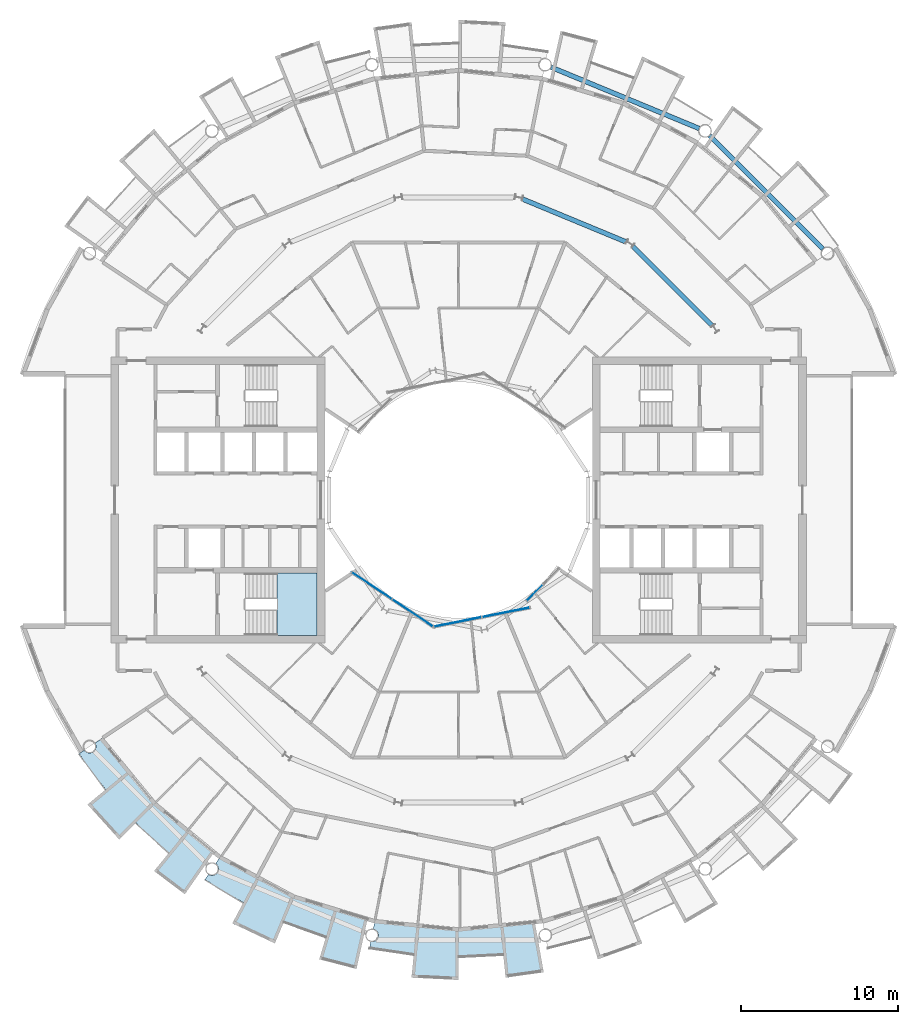
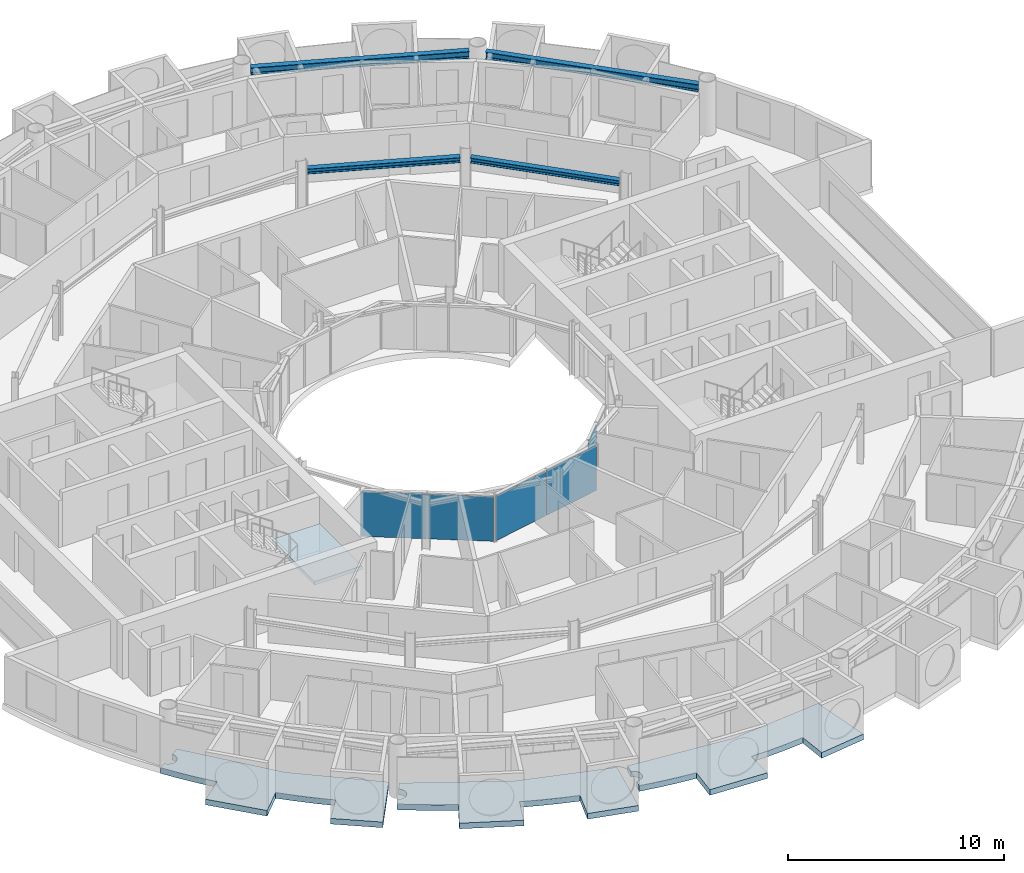
# One storey, part 10 of 26: 5 plates, 4 beams, 4 slabs, 4 elements without a shape of their own.
"""IFC4 building model written with IfcOpenShell, lengths in metres."""

from ifc_helpers import new_model, si_unit, direction, frame, origin, origin_2d, place, context, subcontext, project, spatial, polyline, rectangle, i_section, outline, extrude, material, layer, layer_set, material_profile, profile_set, type_object, element, aggregate, save


model = new_model("IFC4")

# Units and contexts
model_context = context("Model", 3, precision=1e-05, world=origin(), true_north=direction((0.0, 1.0)))
body_context = subcontext(model_context, "Body", "Model", "MODEL_VIEW")
ifc_project = project(units=[si_unit("LENGTHUNIT", "METRE"), si_unit("AREAUNIT", "SQUARE_METRE"), si_unit("VOLUMEUNIT", "CUBIC_METRE"), si_unit("PLANEANGLEUNIT", "RADIAN"), si_unit("MASSUNIT", "GRAM", prefix="KILO")], contexts=[model_context])

# Site, building, storey
site_placement = place(None, origin())
site = spatial("IfcSite", under=ifc_project, at=site_placement, CompositionType="ELEMENT")
building_placement = place(site_placement, origin())
building = spatial("IfcBuilding", under=site, at=building_placement, Name="Maasbend Ring Residences", CompositionType="ELEMENT")
storey_placement = place(building_placement, frame((0.0, 0.0, 176.85009765625)))
storey = spatial("IfcBuildingStorey", under=building, at=storey_placement, Name="L51", CompositionType="ELEMENT", Elevation=176.85009765625)

# Beams
ifc_material_1 = material(Name="Steel S355J2", Category="steel")
ifc_material_profile_1 = material_profile(ifc_material_1, i_section(OverallWidth=0.300048828125, OverallDepth=0.2900390625, WebThickness=0.008544921875, FlangeThickness=0.013916015625, FilletRadius=0.027099609375, at=origin_2d()), Name="HEA 300")
ifc_profile_set_1 = profile_set([ifc_material_profile_1], Name="Steel S355J2")
beam_type_1 = type_object("IfcBeamType", Name="Corridor ring beam HEA 300", PredefinedType="BEAM", material=ifc_profile_set_1)
for number, where, z_axis, x_axis, name in (
    (1, (16.11669921875, 11.0693359375, 2.5048828125), (-0.707106781187, 0.707106781187, 0.0), (-0.707106781187, -0.707106781187, 0.0), "Corridor ring beam"),
    (2, (10.65380859375, 16.394287109375, 2.5048828125), (-0.923871339849, 0.382703210602, 0.0), (-0.382703210602, -0.923871339849, 0.0), "Corridor ring beam"),
):
    element("IfcBeam", number, at=place(storey_placement, frame(where, z_axis=z_axis, x_axis=x_axis)), inside=storey, type_object=beam_type_1, Name=name, PredefinedType="BEAM", context=body_context, shape_type="SweptSolid", body=[
        extrude(i_section(OverallWidth=0.300048828125, OverallDepth=0.2900390625, WebThickness=0.008544921875, FlangeThickness=0.013916015625, FilletRadius=0.027099609375, at=origin_2d()), origin(), (0.0, 0.0, 1.0), 7.137939453125),
    ])
ifc_material_2 = material(Name="Steel S355J2", Category="steel")
ifc_material_profile_2 = material_profile(ifc_material_2, i_section(OverallWidth=0.300048828125, OverallDepth=0.39990234375, WebThickness=0.013427734375, FlangeThickness=0.02392578125, FilletRadius=0.027099609375, at=origin_2d()), Name="HEB 400")
ifc_profile_set_2 = profile_set([ifc_material_profile_2], Name="Steel S355J2")
beam_type_2 = type_object("IfcBeamType", Name="Spandrel ring beam HEB 400", PredefinedType="SPANDREL", material=ifc_profile_set_2)
for number, where, z_axis, x_axis, name in (
    (3, (23.159912109375, 15.95458984375, 2.449951171875), (-0.707106781187, 0.707106781187, 0.0), (-0.707106781187, -0.707106781187, 0.0), "Spandrel ring beam"),
    (4, (15.29150390625, 23.60302734375, 2.449951171875), (-0.923883676188, 0.382673428492, 0.0), (-0.382673428492, -0.923883676188, 0.0), "Spandrel ring beam"),
):
    element("IfcBeam", number, at=place(storey_placement, frame(where, z_axis=z_axis, x_axis=x_axis)), inside=storey, type_object=beam_type_2, Name=name, PredefinedType="SPANDREL", context=body_context, shape_type="SweptSolid", body=[
        extrude(i_section(OverallWidth=0.300048828125, OverallDepth=0.39990234375, WebThickness=0.013427734375, FlangeThickness=0.02392578125, FilletRadius=0.027099609375, at=origin_2d()), origin(), (0.0, 0.0, 1.0), 10.18994140625),
    ])

# Stair, slab
ifc_material_3 = material(Name="Concrete C40/50", Category="concrete")
stair_type = type_object("IfcStairType", Name="CORE STAIR 18 RISERS", PredefinedType="HALF_TURN_STAIR", material=ifc_material_3)
stair_placement = place(storey_placement, origin())
stair = element("IfcStair", 5, at=stair_placement, inside=storey, type_object=stair_type, Name="L51 Exit stair ST-W1", PredefinedType="HALF_TURN_STAIR")
ifc_material_4 = material(Name="Concrete C40/50", Category="concrete")
ifc_layer_1 = layer(ifc_material_4, 0.199951171875)
ifc_layer_set_1 = layer_set([ifc_layer_1], Name="Concrete C40/50")
slab_type_1 = type_object("IfcSlabType", Name="CORE STAIR LANDING 200", PredefinedType="LANDING", material=ifc_layer_set_1)
slab_1_placement = place(storey_placement, frame((0.0, 0.0, 1.324951171875)))
slab_1 = element("IfcSlab", 6, at=slab_1_placement, type_object=slab_type_1, Name="ST-W1 landing 1", PredefinedType="LANDING", context=body_context, shape_type="SweptSolid", body=[
    extrude(outline(polyline([(-11.550048828125, -8.60009765625), (-9.0, -8.60009765625), (-9.0, -4.64990234375), (-11.550048828125, -4.64990234375), (-11.550048828125, -8.60009765625)])), origin(), (0.0, 0.0, 1.0), 0.199951171875),
])
aggregate(stair, [slab_1])

# Curtain wall, plates
ifc_material_5 = material(Name="Aluminium and clear glass", Category="aluminium")
ifc_layer_2 = layer(ifc_material_5, 0.179931640625)
ifc_layer_set_2 = layer_set([ifc_layer_2], Name="CW-W")
curtain_wall_type = type_object("IfcCurtainWallType", Name="CW-W", PredefinedType="NOTDEFINED", material=ifc_layer_set_2)
curtain_wall_1_placement = place(storey_placement, origin())
curtain_wall_1 = element("IfcCurtainWall", 7, at=curtain_wall_1_placement, inside=storey, type_object=curtain_wall_type, Name="Well curtain wall S1", PredefinedType="NOTDEFINED")
ifc_material_6 = material(Name="Glass clear laminated", Category="glass")
ifc_layer_3 = layer(ifc_material_6, 0.031982421875)
ifc_layer_set_3 = layer_set([ifc_layer_3], Name="CWP-W")
plate_type = type_object("IfcPlateType", Name="CWP-W", PredefinedType="CURTAIN_PANEL", material=ifc_layer_set_3)
plate_1_placement = place(storey_placement, frame((-5.51123046875, -5.44580078125, 0.0), z_axis=(0.0, 0.0, 1.0), x_axis=(0.831469612303, -0.55557023302, 0.0)))
plate_1 = element("IfcPlate", 8, at=plate_1_placement, type_object=plate_type, Name="Glass panel well face", PredefinedType="CURTAIN_PANEL", context=body_context, shape_type="SweptSolid", body=[
    extrude(rectangle(XDim=3.053955078125, YDim=0.031982421875, at=origin_2d()), origin(), (0.0, 0.0, 1.0), 2.530029296875),
])
plate_2_placement = place(storey_placement, frame((-2.922119140625, -7.17578125, 0.0), z_axis=(0.0, 0.0, 1.0), x_axis=(0.831469612303, -0.55557023302, 0.0)))
plate_2 = element("IfcPlate", 9, at=plate_2_placement, type_object=plate_type, Name="Glass panel well face", PredefinedType="CURTAIN_PANEL", context=body_context, shape_type="SweptSolid", body=[
    extrude(rectangle(XDim=3.053955078125, YDim=0.031982421875, at=origin_2d()), origin(), (0.0, 0.0, 1.0), 2.530029296875),
])
aggregate(curtain_wall_1, [plate_1, plate_2])

curtain_wall_2_placement = place(storey_placement, origin())
curtain_wall_2 = element("IfcCurtainWall", 10, at=curtain_wall_2_placement, inside=storey, type_object=curtain_wall_type, Name="Well curtain wall S2", PredefinedType="NOTDEFINED")
plate_3_placement = place(storey_placement, frame((-0.04638671875, -7.747802734375, 0.0), z_axis=(0.0, 0.0, 1.0), x_axis=(0.980785280403, 0.195090322016, 0.0)))
plate_3 = element("IfcPlate", 11, at=plate_3_placement, type_object=plate_type, Name="Glass panel well face", PredefinedType="CURTAIN_PANEL", context=body_context, shape_type="SweptSolid", body=[
    extrude(rectangle(XDim=3.053955078125, YDim=0.031982421875, at=origin_2d()), origin(), (0.0, 0.0, 1.0), 2.530029296875),
])
plate_4_placement = place(storey_placement, frame((3.0078125, -7.140380859375, 0.0), z_axis=(0.0, 0.0, 1.0), x_axis=(0.980785280403, 0.195090322016, 0.0)))
plate_4 = element("IfcPlate", 12, at=plate_4_placement, type_object=plate_type, Name="Glass panel well face", PredefinedType="CURTAIN_PANEL", context=body_context, shape_type="SweptSolid", body=[
    extrude(rectangle(XDim=3.053955078125, YDim=0.031982421875, at=origin_2d()), origin(), (0.0, 0.0, 1.0), 2.530029296875),
])
aggregate(curtain_wall_2, [plate_3, plate_4])

# Curtain wall, plate
curtain_wall_3_placement = place(storey_placement, origin())
curtain_wall_3 = element("IfcCurtainWall", 13, at=curtain_wall_3_placement, inside=storey, type_object=curtain_wall_type, Name="Well curtain wall S3", PredefinedType="NOTDEFINED")
plate_5_placement = place(storey_placement, frame((4.84375, -5.89013671875, 0.0), z_axis=(0.0, 0.0, 1.0), x_axis=(0.707106781187, 0.707106781187, 0.0)))
plate_5 = element("IfcPlate", 14, at=plate_5_placement, type_object=plate_type, Name="Glass panel well face", PredefinedType="CURTAIN_PANEL", context=body_context, shape_type="SweptSolid", body=[
    extrude(rectangle(XDim=1.419677734375, YDim=0.031982421875, at=origin_2d()), origin(), (0.0, 0.0, 1.0), 2.530029296875),
])
aggregate(curtain_wall_3, [plate_5])

# Slabs
ifc_material_7 = material(Name="Concrete C40/50", Category="concrete")
ifc_layer_4 = layer(ifc_material_7, 0.199951171875)
ifc_layer_set_4 = layer_set([ifc_layer_4], Name="Concrete C40/50")
slab_type_2 = type_object("IfcSlabType", Name="SL-LOGGIA", PredefinedType="FLOOR", material=ifc_layer_set_4)
slab_2_placement = place(storey_placement, frame((0.0, 0.0, -0.35009765625)))
element("IfcSlab", 15, at=slab_2_placement, inside=storey, type_object=slab_type_2, Name="Loggia floor 1", PredefinedType="FLOOR", context=body_context, shape_type="SweptSolid", body=[
    extrude(outline(polyline([(-15.866943359375, -23.801025390625), (-15.85888671875, -23.805908203125), (-15.85009765625, -23.81005859375), (-15.841064453125, -23.81494140625), (-15.83203125, -23.819091796875), (-15.822998046875, -23.822998046875), (-15.81298828125, -23.826904296875), (-15.803955078125, -23.830078125), (-15.794921875, -23.8330078125), (-15.784912109375, -23.8359375), (-15.77587890625, -23.839111328125), (-15.76611328125, -23.842041015625), (-15.756103515625, -23.843994140625), (-15.74609375, -23.845947265625), (-15.737060546875, -23.847900390625), (-15.72705078125, -23.85009765625), (-15.717041015625, -23.85107421875), (-15.70703125, -23.85205078125), (-15.697021484375, -23.85302734375), (-15.68701171875, -23.85302734375), (-15.677001953125, -23.85400390625), (-15.6669921875, -23.85400390625), (-15.656982421875, -23.85400390625), (-15.64697265625, -23.85302734375), (-15.636962890625, -23.85302734375), (-15.626953125, -23.85205078125), (-15.616943359375, -23.85107421875), (-15.60693359375, -23.85009765625), (-15.597900390625, -23.847900390625), (-15.587890625, -23.845947265625), (-15.577880859375, -23.843994140625), (-15.568115234375, -23.842041015625), (-15.55908203125, -23.839111328125), (-15.549072265625, -23.8359375), (-15.5400390625, -23.8330078125), (-15.530029296875, -23.830078125), (-15.52099609375, -23.826904296875), (-15.511962890625, -23.822998046875), (-15.501953125, -23.819091796875), (-15.492919921875, -23.81494140625), (-15.48388671875, -23.81005859375), (-15.47509765625, -23.805908203125), (-15.467041015625, -23.801025390625), (-15.4580078125, -23.7958984375), (-15.449951171875, -23.791015625), (-15.44091796875, -23.784912109375), (-15.43310546875, -23.780029296875), (-15.425048828125, -23.77392578125), (-15.4169921875, -23.76806640625), (-15.408935546875, -23.761962890625), (-15.402099609375, -23.7548828125), (-15.39404296875, -23.7490234375), (-15.386962890625, -23.741943359375), (-15.3798828125, -23.735107421875), (-15.373046875, -23.72802734375), (-15.365966796875, -23.719970703125), (-15.35888671875, -23.712890625), (-15.35302734375, -23.705078125), (-15.346923828125, -23.697021484375), (-15.341064453125, -23.68994140625), (-15.3349609375, -23.680908203125), (-15.3291015625, -23.673095703125), (-15.323974609375, -23.6650390625), (-15.318115234375, -23.656005859375), (-15.31298828125, -23.64794921875), (-15.30908203125, -23.638916015625), (-15.303955078125, -23.6298828125), (-15.300048828125, -23.62109375), (-15.294921875, -23.612060546875), (-15.2919921875, -23.60302734375), (-15.2880859375, -23.593994140625), (-15.283935546875, -23.583984375), (-15.281005859375, -23.574951171875), (-15.278076171875, -23.56494140625), (-15.27490234375, -23.555908203125), (-15.27294921875, -23.5458984375), (-15.27001953125, -23.535888671875), (-15.26806640625, -23.527099609375), (-15.26708984375, -23.51708984375), (-15.264892578125, -23.507080078125), (-15.263916015625, -23.4970703125), (-15.262939453125, -23.487060546875), (-15.261962890625, -23.47705078125), (-15.260986328125, -23.467041015625), (-15.260986328125, -23.45703125), (-15.260986328125, -23.447021484375), (-15.260986328125, -23.43701171875), (-15.260986328125, -23.427001953125), (-15.261962890625, -23.4169921875), (-15.262939453125, -23.407958984375), (-15.263916015625, -23.39794921875), (-15.264892578125, -23.387939453125), (-15.26708984375, -23.3779296875), (-15.26806640625, -23.367919921875), (-15.27001953125, -23.35791015625), (-15.27294921875, -23.34912109375), (-15.27490234375, -23.339111328125), (-15.278076171875, -23.3291015625), (-15.281005859375, -23.320068359375), (-15.283935546875, -23.31005859375), (-15.2880859375, -23.301025390625), (-15.2919921875, -23.2919921875), (-15.294921875, -23.282958984375), (-15.300048828125, -23.27392578125), (-15.303955078125, -23.264892578125), (-15.30908203125, -23.256103515625), (-15.31298828125, -23.2470703125), (-15.318115234375, -23.238037109375), (-15.323974609375, -23.22998046875), (-15.3291015625, -23.221923828125), (-15.3349609375, -23.212890625), (-15.341064453125, -23.205078125), (-15.346923828125, -23.197021484375), (-15.35302734375, -23.18994140625), (-15.35888671875, -23.181884765625), (-15.365966796875, -23.174072265625), (-15.373046875, -23.1669921875), (-15.3798828125, -23.159912109375), (-15.386962890625, -23.153076171875), (-15.39404296875, -23.14599609375), (-15.402099609375, -23.139892578125), (-15.408935546875, -23.133056640625), (-15.4169921875, -23.126953125), (-15.425048828125, -23.12109375), (-15.43310546875, -23.114990234375), (-15.44091796875, -23.10888671875), (-15.1669921875, -22.698974609375), (-15.1669921875, -22.698974609375), (-15.1669921875, -22.698974609375), (-12.806884765625, -23.9609375), (-10.447021484375, -25.221923828125), (-10.447021484375, -25.221923828125), (-10.447021484375, -25.221923828125), (-7.886962890625, -25.9990234375), (-5.797119140625, -26.633056640625), (-5.797119140625, -26.633056640625), (-5.797119140625, -26.633056640625), (-6.487060546875, -29.802001953125), (-6.487060546875, -29.802001953125), (-6.487060546875, -29.802001953125), (-8.85400390625, -29.18701171875), (-8.85400390625, -29.18701171875), (-8.85400390625, -29.18701171875), (-8.41796875, -27.751953125), (-8.41796875, -27.751953125), (-8.41796875, -27.751953125), (-8.41796875, -27.751953125), (-8.41796875, -27.751953125), (-8.41796875, -27.751953125), (-8.41796875, -27.7509765625), (-8.41796875, -27.7509765625), (-8.41796875, -27.7509765625), (-8.41796875, -27.7509765625), (-8.41796875, -27.7509765625), (-8.4189453125, -27.7509765625), (-8.4189453125, -27.7509765625), (-8.4189453125, -27.7509765625), (-8.4189453125, -27.7509765625), (-8.4189453125, -27.7509765625), (-8.4189453125, -27.7509765625), (-9.322021484375, -27.4609375), (-9.322021484375, -27.4609375), (-10.215087890625, -27.14111328125), (-10.215087890625, -27.14111328125), (-11.096923828125, -26.79296875), (-11.096923828125, -26.79296875), (-11.096923828125, -26.79296875), (-11.097900390625, -26.79296875), (-11.097900390625, -26.79296875), (-11.097900390625, -26.79296875), (-11.097900390625, -26.79296875), (-11.097900390625, -26.79296875), (-11.097900390625, -26.79296875), (-11.097900390625, -26.79296875), (-11.097900390625, -26.79296875), (-11.097900390625, -26.79296875), (-11.097900390625, -26.79296875), (-11.097900390625, -26.79296875), (-11.097900390625, -26.79296875), (-11.097900390625, -26.79296875), (-11.097900390625, -26.79296875), (-11.672119140625, -28.177978515625), (-11.672119140625, -28.177978515625), (-11.672119140625, -28.177978515625), (-14.3779296875, -26.89892578125), (-14.3779296875, -26.89892578125), (-14.3779296875, -26.89892578125), (-13.6708984375, -25.575927734375), (-13.6708984375, -25.575927734375), (-13.6708984375, -25.575927734375), (-13.6708984375, -25.575927734375), (-13.6708984375, -25.575927734375), (-13.6708984375, -25.575927734375), (-13.6708984375, -25.575927734375), (-13.6708984375, -25.575927734375), (-13.6708984375, -25.575927734375), (-13.6708984375, -25.575927734375), (-13.6708984375, -25.575927734375), (-13.6708984375, -25.575927734375), (-13.6708984375, -25.575927734375), (-13.6708984375, -25.575927734375), (-13.6708984375, -25.575927734375), (-13.6708984375, -25.575927734375), (-13.6708984375, -25.574951171875), (-14.5, -25.114990234375), (-14.5, -25.114990234375), (-15.31396484375, -24.626953125), (-15.31396484375, -24.626953125), (-16.112060546875, -24.113037109375), (-16.112060546875, -24.113037109375), (-16.112060546875, -24.113037109375), (-15.89306640625, -23.784912109375), (-15.885009765625, -23.791015625), (-15.8759765625, -23.7958984375), (-15.866943359375, -23.801025390625)])), origin(), (0.0, 0.0, 1.0), 0.320068359375),
])
slab_3_placement = place(storey_placement, frame((0.0, 0.0, -0.35009765625)))
element("IfcSlab", 16, at=slab_3_placement, inside=storey, type_object=slab_type_2, Name="Loggia floor 3", PredefinedType="FLOOR", context=body_context, shape_type="SweptSolid", body=[
    extrude(outline(polyline([(-2.6630859375, -27.0380859375), (0.0, -27.300048828125), (0.0, -27.300048828125), (0.0, -27.300048828125), (2.6630859375, -27.0380859375), (4.8359375, -26.823974609375), (4.8359375, -26.823974609375), (4.8359375, -26.823974609375), (5.412109375, -30.01611328125), (5.412109375, -30.01611328125), (5.412109375, -30.01611328125), (2.989990234375, -30.35302734375), (2.989990234375, -30.35302734375), (2.989990234375, -30.35302734375), (2.843017578125, -28.861083984375), (2.843017578125, -28.861083984375), (2.843017578125, -28.861083984375), (2.843017578125, -28.861083984375), (2.842041015625, -28.861083984375), (2.842041015625, -28.861083984375), (2.842041015625, -28.861083984375), (2.842041015625, -28.861083984375), (2.842041015625, -28.861083984375), (2.842041015625, -28.860107421875), (2.842041015625, -28.860107421875), (2.842041015625, -28.860107421875), (2.842041015625, -28.860107421875), (2.842041015625, -28.860107421875), (2.842041015625, -28.860107421875), (2.842041015625, -28.860107421875), (2.842041015625, -28.860107421875), (1.89697265625, -28.93798828125), (1.89697265625, -28.93798828125), (0.948974609375, -28.98388671875), (0.948974609375, -28.98388671875), (0.0, -29.0), (0.0, -29.0), (0.0, -29.0), (0.0, -29.0), (0.0, -29.0), (0.0, -29.0), (0.0, -29.0), (0.0, -29.0), (0.0, -29.0), (0.0, -29.0), (0.0, -29.0), (0.0, -29.0), (0.0, -29.0), (0.0, -29.0), (0.0, -29.0), (0.0, -29.0), (0.0, -29.0), (0.0, -30.5), (0.0, -30.5), (0.0, -30.5), (-2.989990234375, -30.35302734375), (-2.989990234375, -30.35302734375), (-2.989990234375, -30.35302734375), (-2.843017578125, -28.861083984375), (-2.843017578125, -28.861083984375), (-2.843017578125, -28.861083984375), (-2.843017578125, -28.861083984375), (-2.843017578125, -28.861083984375), (-2.843017578125, -28.861083984375), (-2.843017578125, -28.861083984375), (-2.843017578125, -28.861083984375), (-2.843017578125, -28.860107421875), (-2.843017578125, -28.860107421875), (-2.843017578125, -28.860107421875), (-2.843017578125, -28.860107421875), (-2.843017578125, -28.860107421875), (-2.843017578125, -28.860107421875), (-2.843017578125, -28.860107421875), (-2.843017578125, -28.860107421875), (-2.843017578125, -28.860107421875), (-3.784912109375, -28.751953125), (-3.784912109375, -28.751953125), (-4.72412109375, -28.613037109375), (-4.72412109375, -28.613037109375), (-5.657958984375, -28.443115234375), (-5.657958984375, -28.443115234375), (-5.657958984375, -28.443115234375), (-5.5810546875, -28.056884765625), (-5.5810546875, -28.056884765625), (-5.571044921875, -28.05908203125), (-5.56103515625, -28.06005859375), (-5.551025390625, -28.06201171875), (-5.541015625, -28.06298828125), (-5.531005859375, -28.06298828125), (-5.52099609375, -28.06396484375), (-5.510986328125, -28.06396484375), (-5.501953125, -28.06494140625), (-5.491943359375, -28.06396484375), (-5.48193359375, -28.06396484375), (-5.471923828125, -28.06298828125), (-5.4619140625, -28.06298828125), (-5.451904296875, -28.06201171875), (-5.44189453125, -28.06005859375), (-5.431884765625, -28.05908203125), (-5.422119140625, -28.056884765625), (-5.412109375, -28.054931640625), (-5.403076171875, -28.052001953125), (-5.39306640625, -28.050048828125), (-5.383056640625, -28.047119140625), (-5.3740234375, -28.0439453125), (-5.364990234375, -28.041015625), (-5.35498046875, -28.037109375), (-5.345947265625, -28.033935546875), (-5.3369140625, -28.030029296875), (-5.327880859375, -28.02587890625), (-5.319091796875, -28.02099609375), (-5.31005859375, -28.01708984375), (-5.301025390625, -28.011962890625), (-5.29296875, -28.007080078125), (-5.283935546875, -28.001953125), (-5.27587890625, -27.99609375), (-5.26708984375, -27.989990234375), (-5.259033203125, -27.985107421875), (-5.2509765625, -27.97900390625), (-5.243896484375, -27.971923828125), (-5.236083984375, -27.966064453125), (-5.22900390625, -27.958984375), (-5.220947265625, -27.952880859375), (-5.214111328125, -27.946044921875), (-5.20703125, -27.93798828125), (-5.199951171875, -27.930908203125), (-5.194091796875, -27.924072265625), (-5.18701171875, -27.916015625), (-5.180908203125, -27.907958984375), (-5.175048828125, -27.89990234375), (-5.1689453125, -27.89208984375), (-5.1640625, -27.884033203125), (-5.157958984375, -27.8759765625), (-5.153076171875, -27.866943359375), (-5.14794921875, -27.85791015625), (-5.14306640625, -27.85009765625), (-5.137939453125, -27.841064453125), (-5.134033203125, -27.83203125), (-5.1298828125, -27.822998046875), (-5.1259765625, -27.81396484375), (-5.1220703125, -27.803955078125), (-5.118896484375, -27.794921875), (-5.115966796875, -27.785888671875), (-5.113037109375, -27.77587890625), (-5.110107421875, -27.76708984375), (-5.10693359375, -27.757080078125), (-5.10498046875, -27.7470703125), (-5.10302734375, -27.737060546875), (-5.10107421875, -27.72802734375), (-5.09912109375, -27.718017578125), (-5.097900390625, -27.7080078125), (-5.096923828125, -27.697998046875), (-5.095947265625, -27.68798828125), (-5.094970703125, -27.677978515625), (-5.094970703125, -27.66796875), (-5.094970703125, -27.657958984375), (-5.094970703125, -27.64794921875), (-5.094970703125, -27.637939453125), (-5.095947265625, -27.6279296875), (-5.096923828125, -27.617919921875), (-5.097900390625, -27.60791015625), (-5.09912109375, -27.597900390625), (-5.10107421875, -27.589111328125), (-5.10302734375, -27.5791015625), (-5.10498046875, -27.569091796875), (-5.10693359375, -27.55908203125), (-5.110107421875, -27.550048828125), (-5.113037109375, -27.5400390625), (-5.115966796875, -27.531005859375), (-5.118896484375, -27.52099609375), (-5.1220703125, -27.511962890625), (-5.1259765625, -27.5029296875), (-5.1298828125, -27.492919921875), (-5.134033203125, -27.48388671875), (-5.137939453125, -27.47509765625), (-5.14306640625, -27.466064453125), (-5.14794921875, -27.4580078125), (-5.153076171875, -27.448974609375), (-5.157958984375, -27.44091796875), (-5.1640625, -27.431884765625), (-5.1689453125, -27.424072265625), (-5.175048828125, -27.416015625), (-5.180908203125, -27.407958984375), (-5.18701171875, -27.39990234375), (-5.194091796875, -27.39306640625), (-5.199951171875, -27.385009765625), (-5.20703125, -27.3779296875), (-5.214111328125, -27.37109375), (-5.220947265625, -27.364013671875), (-5.22900390625, -27.35693359375), (-5.236083984375, -27.35009765625), (-5.243896484375, -27.343994140625), (-5.2509765625, -27.337890625), (-5.259033203125, -27.33203125), (-5.26708984375, -27.325927734375), (-5.27587890625, -27.320068359375), (-5.283935546875, -27.31494140625), (-5.29296875, -27.30908203125), (-5.301025390625, -27.303955078125), (-5.31005859375, -27.300048828125), (-5.319091796875, -27.294921875), (-5.327880859375, -27.291015625), (-5.3369140625, -27.285888671875), (-5.345947265625, -27.282958984375), (-5.35498046875, -27.279052734375), (-5.364990234375, -27.27490234375), (-5.3740234375, -27.27197265625), (-5.383056640625, -27.26904296875), (-5.39306640625, -27.26611328125), (-5.403076171875, -27.263916015625), (-5.412109375, -27.260986328125), (-5.422119140625, -27.259033203125), (-5.422119140625, -27.259033203125), (-5.325927734375, -26.77490234375), (-5.325927734375, -26.77490234375), (-5.325927734375, -26.77490234375), (-2.6630859375, -27.0380859375)])), origin(), (0.0, 0.0, 1.0), 0.320068359375),
])
slab_4_placement = place(storey_placement, frame((0.0, 0.0, -0.35009765625)))
element("IfcSlab", 17, at=slab_4_placement, inside=storey, type_object=slab_type_2, Name="Loggia floor 4", PredefinedType="FLOOR", context=body_context, shape_type="SweptSolid", body=[
    extrude(outline(polyline([(-23.77392578125, -15.908935546875), (-23.76806640625, -15.9169921875), (-23.761962890625, -15.925048828125), (-23.7548828125, -15.93310546875), (-23.7490234375, -15.93994140625), (-23.741943359375, -15.947021484375), (-23.735107421875, -15.955078125), (-23.72802734375, -15.9619140625), (-23.719970703125, -15.968017578125), (-23.712890625, -15.97509765625), (-23.705078125, -15.98095703125), (-23.697021484375, -15.988037109375), (-23.68994140625, -15.993896484375), (-23.680908203125, -15.9990234375), (-23.673095703125, -16.0048828125), (-23.6650390625, -16.010986328125), (-23.656005859375, -16.01611328125), (-23.64794921875, -16.02099609375), (-23.638916015625, -16.02587890625), (-23.6298828125, -16.030029296875), (-23.62109375, -16.034912109375), (-23.612060546875, -16.0390625), (-23.60302734375, -16.04296875), (-23.593994140625, -16.0458984375), (-23.583984375, -16.050048828125), (-23.574951171875, -16.052978515625), (-23.56494140625, -16.055908203125), (-23.555908203125, -16.05908203125), (-23.5458984375, -16.06103515625), (-23.535888671875, -16.06396484375), (-23.527099609375, -16.06591796875), (-23.51708984375, -16.068115234375), (-23.507080078125, -16.069091796875), (-23.4970703125, -16.071044921875), (-23.487060546875, -16.072021484375), (-23.47705078125, -16.072021484375), (-23.467041015625, -16.072998046875), (-23.45703125, -16.072998046875), (-23.447021484375, -16.073974609375), (-23.43701171875, -16.072998046875), (-23.427001953125, -16.072998046875), (-23.4169921875, -16.072021484375), (-23.407958984375, -16.072021484375), (-23.39794921875, -16.071044921875), (-23.387939453125, -16.069091796875), (-23.3779296875, -16.068115234375), (-23.367919921875, -16.06591796875), (-23.35791015625, -16.06396484375), (-23.34912109375, -16.06103515625), (-23.339111328125, -16.05908203125), (-23.3291015625, -16.055908203125), (-23.320068359375, -16.052978515625), (-23.31005859375, -16.050048828125), (-23.301025390625, -16.0458984375), (-23.2919921875, -16.04296875), (-23.282958984375, -16.0390625), (-23.27392578125, -16.034912109375), (-23.264892578125, -16.030029296875), (-23.256103515625, -16.02587890625), (-23.2470703125, -16.02099609375), (-23.238037109375, -16.01611328125), (-23.22998046875, -16.010986328125), (-23.221923828125, -16.0048828125), (-23.212890625, -15.9990234375), (-23.205078125, -15.993896484375), (-23.197021484375, -15.988037109375), (-23.18994140625, -15.98095703125), (-23.181884765625, -15.97509765625), (-23.174072265625, -15.968017578125), (-23.1669921875, -15.9619140625), (-23.159912109375, -15.955078125), (-23.153076171875, -15.947021484375), (-23.14599609375, -15.93994140625), (-23.139892578125, -15.93310546875), (-23.133056640625, -15.925048828125), (-23.126953125, -15.9169921875), (-23.12109375, -15.908935546875), (-23.114990234375, -15.90087890625), (-23.10888671875, -15.89306640625), (-23.10400390625, -15.885009765625), (-23.09912109375, -15.8759765625), (-23.093994140625, -15.866943359375), (-23.089111328125, -15.85888671875), (-23.083984375, -15.85009765625), (-23.080078125, -15.841064453125), (-23.075927734375, -15.83203125), (-23.072021484375, -15.822998046875), (-23.068115234375, -15.81298828125), (-23.06494140625, -15.803955078125), (-23.06103515625, -15.794921875), (-23.05810546875, -15.784912109375), (-23.055908203125, -15.77587890625), (-23.052978515625, -15.76611328125), (-23.051025390625, -15.756103515625), (-23.049072265625, -15.74609375), (-23.047119140625, -15.737060546875), (-23.044921875, -15.72705078125), (-23.0439453125, -15.717041015625), (-23.04296875, -15.70703125), (-23.0419921875, -15.697021484375), (-23.041015625, -15.68701171875), (-23.041015625, -15.677001953125), (-23.041015625, -15.6669921875), (-23.041015625, -15.656982421875), (-23.041015625, -15.64697265625), (-23.0419921875, -15.636962890625), (-23.04296875, -15.626953125), (-23.0439453125, -15.616943359375), (-23.044921875, -15.60693359375), (-23.047119140625, -15.597900390625), (-23.049072265625, -15.587890625), (-23.051025390625, -15.577880859375), (-23.052978515625, -15.568115234375), (-23.055908203125, -15.55908203125), (-23.05810546875, -15.549072265625), (-23.06103515625, -15.5400390625), (-23.06494140625, -15.530029296875), (-23.068115234375, -15.52099609375), (-23.072021484375, -15.511962890625), (-23.075927734375, -15.501953125), (-23.080078125, -15.492919921875), (-23.083984375, -15.48388671875), (-23.089111328125, -15.47509765625), (-23.093994140625, -15.467041015625), (-23.09912109375, -15.4580078125), (-23.10400390625, -15.449951171875), (-23.10888671875, -15.44091796875), (-23.10888671875, -15.44091796875), (-22.698974609375, -15.1669921875), (-22.698974609375, -15.1669921875), (-22.698974609375, -15.1669921875), (-21.001953125, -17.236083984375), (-19.303955078125, -19.303955078125), (-19.303955078125, -19.303955078125), (-19.303955078125, -19.303955078125), (-17.236083984375, -21.001953125), (-15.547119140625, -22.386962890625), (-15.547119140625, -22.386962890625), (-15.547119140625, -22.386962890625), (-17.39794921875, -25.051025390625), (-17.39794921875, -25.051025390625), (-17.39794921875, -25.051025390625), (-19.34912109375, -23.576904296875), (-19.34912109375, -23.576904296875), (-19.34912109375, -23.576904296875), (-18.39794921875, -22.41796875), (-18.39794921875, -22.41796875), (-18.39794921875, -22.41796875), (-18.39794921875, -22.41796875), (-18.39794921875, -22.41796875), (-18.39794921875, -22.4169921875), (-18.39794921875, -22.4169921875), (-18.39794921875, -22.4169921875), (-18.39794921875, -22.4169921875), (-18.39794921875, -22.4169921875), (-18.39794921875, -22.4169921875), (-18.39794921875, -22.4169921875), (-18.39794921875, -22.4169921875), (-18.39794921875, -22.4169921875), (-18.39794921875, -22.4169921875), (-18.39794921875, -22.4169921875), (-18.39794921875, -22.4169921875), (-19.12109375, -21.802978515625), (-19.12109375, -21.802978515625), (-19.823974609375, -21.166015625), (-19.823974609375, -21.166015625), (-20.506103515625, -20.506103515625), (-20.506103515625, -20.506103515625), (-20.506103515625, -20.506103515625), (-20.506103515625, -20.506103515625), (-20.506103515625, -20.506103515625), (-20.506103515625, -20.506103515625), (-20.506103515625, -20.506103515625), (-20.506103515625, -20.506103515625), (-20.506103515625, -20.506103515625), (-20.506103515625, -20.506103515625), (-20.506103515625, -20.506103515625), (-20.506103515625, -20.506103515625), (-20.506103515625, -20.506103515625), (-20.506103515625, -20.506103515625), (-20.506103515625, -20.506103515625), (-20.506103515625, -20.506103515625), (-20.506103515625, -20.506103515625), (-21.56689453125, -21.56689453125), (-21.56689453125, -21.56689453125), (-21.56689453125, -21.56689453125), (-23.576904296875, -19.34912109375), (-23.576904296875, -19.34912109375), (-23.576904296875, -19.34912109375), (-22.41796875, -18.39794921875), (-22.41796875, -18.39794921875), (-22.41796875, -18.39794921875), (-22.41796875, -18.39794921875), (-22.41796875, -18.39794921875), (-22.41796875, -18.39794921875), (-22.41796875, -18.39697265625), (-22.41796875, -18.39697265625), (-22.41796875, -18.39697265625), (-22.41796875, -18.39697265625), (-22.41796875, -18.39697265625), (-22.41796875, -18.39697265625), (-22.41796875, -18.39697265625), (-22.41796875, -18.39697265625), (-22.41796875, -18.39697265625), (-22.41796875, -18.39697265625), (-22.41796875, -18.39697265625), (-23.007080078125, -17.654052734375), (-23.007080078125, -17.654052734375), (-23.572998046875, -16.89208984375), (-23.572998046875, -16.89208984375), (-24.113037109375, -16.112060546875), (-24.113037109375, -16.112060546875), (-24.113037109375, -16.112060546875), (-23.784912109375, -15.89306640625), (-23.784912109375, -15.89306640625), (-23.780029296875, -15.90087890625), (-23.77392578125, -15.908935546875)])), origin(), (0.0, 0.0, 1.0), 0.320068359375),
])

save(model, "model.ifc")
